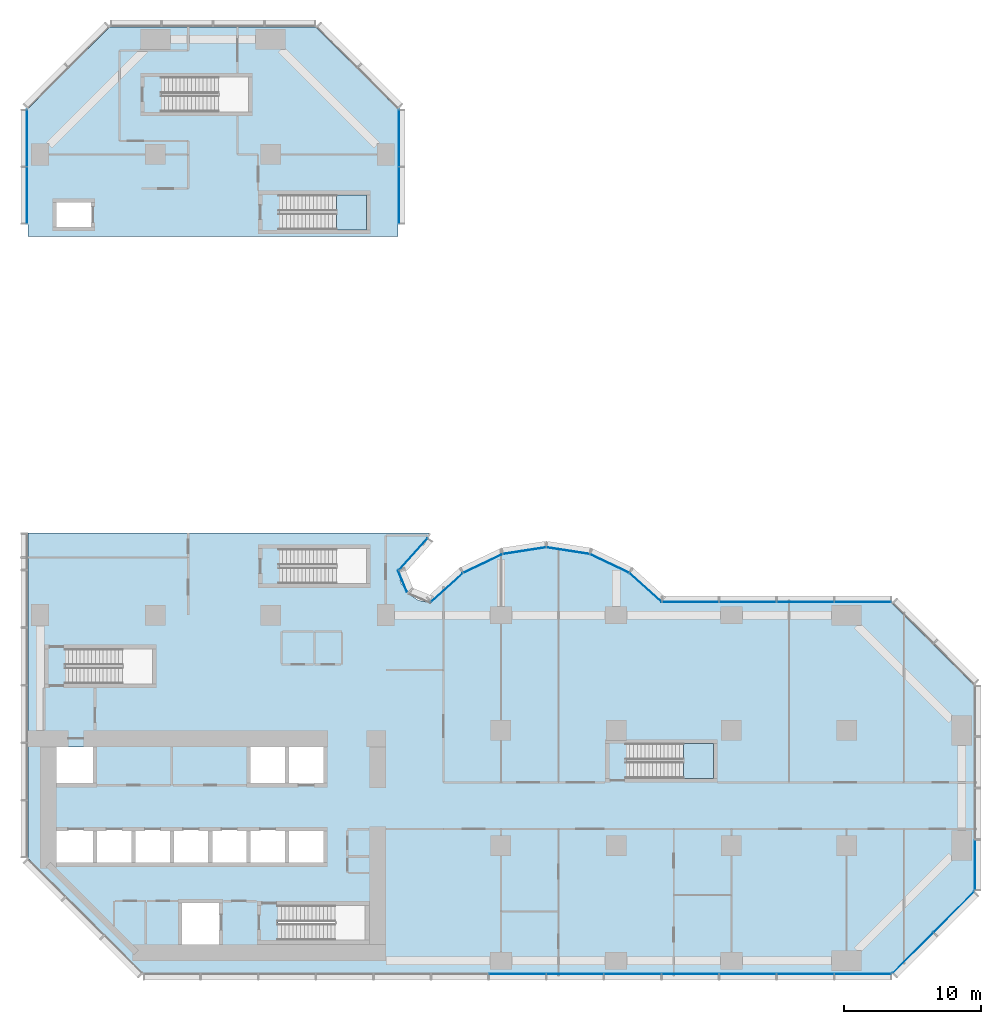
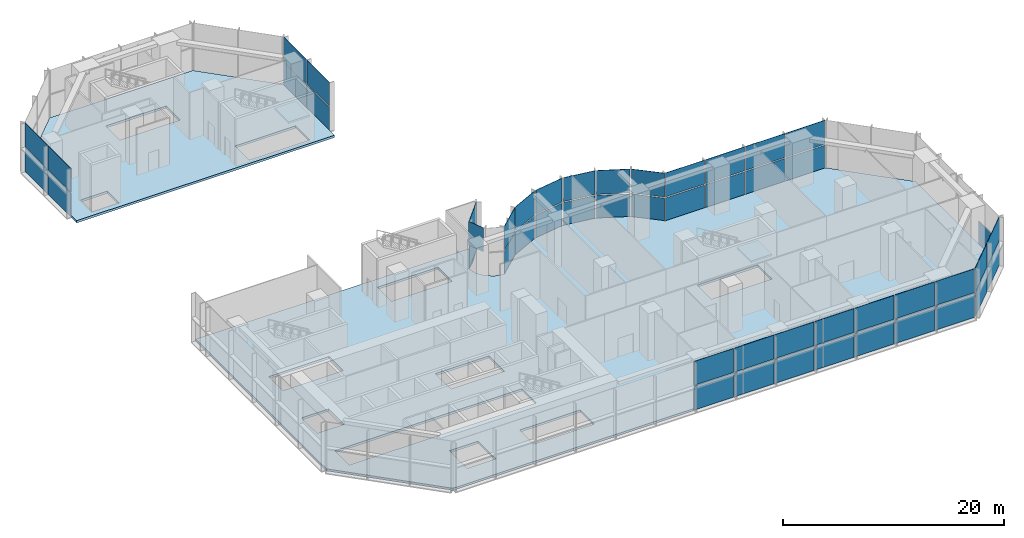
# One storey, part 6 of 16: 50 plates, 4 slabs, 11 elements without a shape of their own.
"""IFC4 building model written with IfcOpenShell, lengths in metres."""

import ifcopenshell
import ifcopenshell.guid

model = None  # the IFC model being written
_history = None  # IfcOwnerHistory: only IFC2X3 demands one
_inside = {}  # id of a spatial element -> (the spatial element, [elements in it])
_under = {}  # id of a project, library or spatial element -> (it, [spatial elements below it])
_declared = {}  # id of a project -> (the project, [libraries it declares])
_typed = {}  # id of a type object -> (the type object, [elements of that type])
_made_of = {}  # id of a material, layer set ... -> (it, [elements and type objects made of it])


def new_model(schema):
    """Start an empty IFC model of exactly this schema.

    Asked for "IFC4X3", IfcOpenShell would pick the latest addendum, in which some entities
    have other attributes; the version numbers below select the first issue.
    IFC2X3 requires an IfcOwnerHistory on every rooted entity: one is made here for all.
    """
    global model, _history
    if schema == "IFC4X3":
        model = ifcopenshell.file(schema_version=(4, 3, 0, 0))
    else:
        model = ifcopenshell.file(schema=schema)
    _inside.clear()
    _under.clear()
    _declared.clear()
    _typed.clear()
    _made_of.clear()
    _history = None
    if model.schema == "IFC2X3":
        org = make("IfcOrganization", Name="unknown")
        user = make(
            "IfcPersonAndOrganization",
            ThePerson=make("IfcPerson", FamilyName="unknown"),
            TheOrganization=org,
        )
        app = make(
            "IfcApplication",
            ApplicationDeveloper=org,
            Version="unknown",
            ApplicationFullName="unknown",
            ApplicationIdentifier="unknown",
        )
        _history = make(
            "IfcOwnerHistory",
            OwningUser=user,
            OwningApplication=app,
            ChangeAction="ADDED",
            CreationDate=0,
        )
    return model


def make(cls, **values):
    """One entity of the class cls with the attributes given. An attribute that is None is left unset."""
    return model.create_entity(
        cls, **{name: value for name, value in values.items() if value is not None}
    )


def rooted(cls, **values):
    """An entity with a GlobalId (a new one), such as an element, a storey or a relation."""
    return make(cls, GlobalId=ifcopenshell.guid.new(), OwnerHistory=_history, **values)


def si_unit(unit_type, name, prefix=None):
    """IfcSIUnit, for example si_unit("LENGTHUNIT", "METRE", prefix="MILLI")."""
    return make("IfcSIUnit", UnitType=unit_type, Prefix=prefix, Name=name)


def assignment(units):
    """IfcUnitAssignment: the units of a project."""
    return None if units is None else make("IfcUnitAssignment", Units=units)


def point(xyz):
    """IfcCartesianPoint."""
    return None if xyz is None else make("IfcCartesianPoint", Coordinates=xyz)


def direction(xyz):
    """IfcDirection."""
    return None if xyz is None else make("IfcDirection", DirectionRatios=xyz)


def frame(location, z_axis=None, x_axis=None):
    """IfcAxis2Placement3D, a coordinate frame: its origin and axes. An axis left out is left unset."""
    return make(
        "IfcAxis2Placement3D",
        Location=point(location),
        Axis=direction(z_axis),
        RefDirection=direction(x_axis),
    )


def origin():
    """The frame at (0, 0, 0) with its axes left unset."""
    return frame((0.0, 0.0, 0.0))


def place(relative_to, where):
    """IfcLocalPlacement: puts the frame where relative to a parent placement (None: the world)."""
    return make(
        "IfcLocalPlacement", PlacementRelTo=relative_to, RelativePlacement=where
    )


def context(
    kind, dimensions, precision=None, world=None, true_north=None, identifier=None
):
    """IfcGeometricRepresentationContext, for example the 3D "Model" context."""
    return make(
        "IfcGeometricRepresentationContext",
        ContextIdentifier=identifier,
        ContextType=kind,
        CoordinateSpaceDimension=dimensions,
        Precision=precision,
        WorldCoordinateSystem=world,
        TrueNorth=true_north,
    )


def subcontext(parent, identifier, kind, view, scale=None):
    """IfcGeometricRepresentationSubContext, for example "Body" below "Model"."""
    return make(
        "IfcGeometricRepresentationSubContext",
        ContextIdentifier=identifier,
        ContextType=kind,
        ParentContext=parent,
        TargetScale=scale,
        TargetView=view,
    )


def project(units=None, contexts=None):
    """IfcProject with its units and contexts."""
    return rooted(
        "IfcProject",
        Name="project",
        RepresentationContexts=contexts,
        UnitsInContext=assignment(units),
    )


def spatial(cls, under=None, at=None, **own):
    """A site, building, storey or space (cls), placed at a placement, below another one or the project."""
    s = rooted(cls, ObjectPlacement=at, **own)
    if under is not None:
        _under.setdefault(under.id(), (under, []))[1].append(s)
    return s


def polyline(points):
    """IfcPolyline through the points."""
    return make("IfcPolyline", Points=[point(p) for p in points])


def outline(outer, holes=None, kind="AREA"):
    """IfcArbitraryClosedProfileDef: a profile drawn as a closed curve; with holes, ...WithVoids."""
    if holes is None:
        return make("IfcArbitraryClosedProfileDef", ProfileType=kind, OuterCurve=outer)
    return make(
        "IfcArbitraryProfileDefWithVoids",
        ProfileType=kind,
        OuterCurve=outer,
        InnerCurves=holes,
    )


def extrude(swept, where, along, depth):
    """IfcExtrudedAreaSolid: the profile swept, set in the frame where, extruded along a direction by depth."""
    return make(
        "IfcExtrudedAreaSolid",
        SweptArea=swept,
        Position=where,
        ExtrudedDirection=direction(along),
        Depth=depth,
    )


def shape(context_of_items, identifier, shape_type, items):
    """IfcShapeRepresentation: the items that make up one representation, for example the "Body"."""
    return make(
        "IfcShapeRepresentation",
        ContextOfItems=context_of_items,
        RepresentationIdentifier=identifier,
        RepresentationType=shape_type,
        Items=items,
    )


def material(Name=None, Category=None):
    """IfcMaterial."""
    return make("IfcMaterial", Name=Name, Category=Category)


def layer(
    of_material, thickness, ventilated=None, Name=None, Category=None, Priority=None
):
    """IfcMaterialLayer: one layer of a wall or slab, of a material (None: an air gap)."""
    return make(
        "IfcMaterialLayer",
        Material=of_material,
        LayerThickness=thickness,
        IsVentilated=ventilated,
        Name=Name,
        Category=Category,
        Priority=Priority,
    )


def layer_set(layers, Name=None):
    """IfcMaterialLayerSet."""
    return make("IfcMaterialLayerSet", MaterialLayers=layers, LayerSetName=Name)


def made_of(thing, what):
    """Note that an element or type object is made of a material, layer set ...; save() writes the relation."""
    if what is not None:
        _made_of.setdefault(what.id(), (what, []))[1].append(thing)
    return thing


def type_object(cls, material=None, **own):
    """A type object (cls), such as IfcWallType, which elements share."""
    return made_of(rooted(cls, **own), material)


def element(
    cls,
    number,
    at=None,
    inside=None,
    cuts=None,
    type_object=None,
    material=None,
    context=None,
    identifier="Body",
    shape_type=None,
    held_by="IfcProductDefinitionShape",
    body=None,
    shapes=None,
    **own,
):
    """One element of the class cls, such as IfcWall. Its Tag is "e" and its number.

    at: its placement. inside: the storey or other place that contains it. cuts: it is an
    opening in that element (IfcRelVoidsElement). A single representation is given by context,
    identifier, shape_type and body (its items); several are given by shapes. held_by: the class
    of the entity that holds the representations. save() writes the other relations.
    """
    e = rooted(cls, Tag="e%d" % number, ObjectPlacement=at, **own)
    if body is not None:
        shapes = [shape(context, identifier, shape_type, body)]
    if shapes is not None:
        e.Representation = make(held_by, Representations=shapes)
    if inside is not None:
        _inside.setdefault(inside.id(), (inside, []))[1].append(e)
    if cuts is not None:
        rooted(
            "IfcRelVoidsElement", RelatingBuildingElement=cuts, RelatedOpeningElement=e
        )
    if type_object is not None:
        _typed.setdefault(type_object.id(), (type_object, []))[1].append(e)
    return made_of(e, material)


def aggregate(whole, parts):
    """IfcRelAggregates: a whole, such as a stair, and the parts it consists of."""
    return rooted("IfcRelAggregates", RelatingObject=whole, RelatedObjects=parts)


def save(model, path):
    """Write the relations noted so far, then the file.

    IfcRelAggregates (storeys below a building ...), IfcRelContainedInSpatialStructure (elements
    in a storey), IfcRelDefinesByType, IfcRelAssociatesMaterial and IfcRelDeclares: one each for
    every whole, place, type object, material and project.
    """
    for whole, parts in _under.values():
        aggregate(whole, parts)
    for where, things in _inside.values():
        rooted(
            "IfcRelContainedInSpatialStructure",
            RelatedElements=things,
            RelatingStructure=where,
        )
    for kind, things in _typed.values():
        rooted("IfcRelDefinesByType", RelatedObjects=things, RelatingType=kind)
    for what, things in _made_of.values():
        rooted("IfcRelAssociatesMaterial", RelatedObjects=things, RelatingMaterial=what)
    for by, libraries in _declared.values():
        rooted("IfcRelDeclares", RelatingContext=by, RelatedDefinitions=libraries)
    model.write(path)


model = new_model("IFC4")

# Units and contexts
model_context = context("Model", 3, precision=1e-05, world=origin(), true_north=direction((0.0, 1.0)))
body_context = subcontext(model_context, "Body", "Model", "MODEL_VIEW")
ifc_project = project(units=[si_unit("LENGTHUNIT", "METRE"), si_unit("AREAUNIT", "SQUARE_METRE"), si_unit("VOLUMEUNIT", "CUBIC_METRE"), si_unit("PLANEANGLEUNIT", "RADIAN"), si_unit("MASSUNIT", "GRAM", prefix="KILO")], contexts=[model_context])

# Site, building, storey
site_placement = place(None, origin())
site = spatial("IfcSite", under=ifc_project, at=site_placement, CompositionType="ELEMENT")
building_placement = place(site_placement, origin())
building = spatial("IfcBuilding", under=site, at=building_placement, Name="Brevane Broadcast Tower", CompositionType="ELEMENT")
storey_placement = place(building_placement, frame((0.0, 0.0, 7.0)))
storey = spatial("IfcBuildingStorey", under=building, at=storey_placement, Name="L01", CompositionType="ELEMENT", Elevation=7.0)

# Curtain wall, plates
ifc_material_1 = material(Name="Aluminium 6063-T6 bronze anodised", Category="aluminium")
curtain_wall_type = type_object("IfcCurtainWallType", Name="CW-2 curtain wall", PredefinedType="NOTDEFINED", material=ifc_material_1)
curtain_wall_1_placement = place(storey_placement, origin())
curtain_wall_1 = element("IfcCurtainWall", 1, at=curtain_wall_1_placement, inside=storey, type_object=curtain_wall_type, Name="CW-2 podium base unit L01 south face", PredefinedType="NOTDEFINED")
ifc_material_2 = material(Name="Laminated glass bronze-tinted", Category="glass")
ifc_layer_1 = layer(ifc_material_2, 0.0400390625)
ifc_layer_set_1 = layer_set([ifc_layer_1], Name="CW glass panel 40")
plate_type = type_object("IfcPlateType", Name="CW glass panel 40", PredefinedType="CURTAIN_PANEL", material=ifc_layer_set_1)
plate_1_placement = place(storey_placement, frame((0.0, 0.0, -0.1298828125)))
plate_1 = element("IfcPlate", 2, at=plate_1_placement, type_object=plate_type, Name="CW-2 glass panel", PredefinedType="CURTAIN_PANEL", context=body_context, shape_type="SweptSolid", body=[
    extrude(outline(polyline([(36.85498046875, -0.969970703125), (36.85498046875, -0.929931640625), (32.7451171875, -0.929931640625), (32.7451171875, -0.969970703125), (36.85498046875, -0.969970703125)])), origin(), (0.0, 0.0, 1.0), 2.619873046875),
])
plate_2_placement = place(storey_placement, frame((0.0, 0.0, 2.610107421875)))
plate_2 = element("IfcPlate", 3, at=plate_2_placement, type_object=plate_type, Name="CW-2 glass panel", PredefinedType="CURTAIN_PANEL", context=body_context, shape_type="SweptSolid", body=[
    extrude(outline(polyline([(36.85498046875, -0.969970703125), (36.85498046875, -0.929931640625), (32.7451171875, -0.929931640625), (32.7451171875, -0.969970703125), (36.85498046875, -0.969970703125)])), origin(), (0.0, 0.0, 1.0), 2.639892578125),
])
plate_3_placement = place(storey_placement, frame((0.0, 0.0, -0.1298828125)))
plate_3 = element("IfcPlate", 4, at=plate_3_placement, type_object=plate_type, Name="CW-2 glass panel", PredefinedType="CURTAIN_PANEL", context=body_context, shape_type="SweptSolid", body=[
    extrude(outline(polyline([(41.054931640625, -0.969970703125), (41.054931640625, -0.929931640625), (36.945068359375, -0.929931640625), (36.945068359375, -0.969970703125), (41.054931640625, -0.969970703125)])), origin(), (0.0, 0.0, 1.0), 2.619873046875),
])
plate_4_placement = place(storey_placement, frame((0.0, 0.0, 2.610107421875)))
plate_4 = element("IfcPlate", 5, at=plate_4_placement, type_object=plate_type, Name="CW-2 glass panel", PredefinedType="CURTAIN_PANEL", context=body_context, shape_type="SweptSolid", body=[
    extrude(outline(polyline([(41.054931640625, -0.969970703125), (41.054931640625, -0.929931640625), (36.945068359375, -0.929931640625), (36.945068359375, -0.969970703125), (41.054931640625, -0.969970703125)])), origin(), (0.0, 0.0, 1.0), 2.639892578125),
])
plate_5_placement = place(storey_placement, frame((0.0, 0.0, -0.1298828125)))
plate_5 = element("IfcPlate", 6, at=plate_5_placement, type_object=plate_type, Name="CW-2 glass panel", PredefinedType="CURTAIN_PANEL", context=body_context, shape_type="SweptSolid", body=[
    extrude(outline(polyline([(45.2548828125, -0.969970703125), (45.2548828125, -0.929931640625), (41.14501953125, -0.929931640625), (41.14501953125, -0.969970703125), (45.2548828125, -0.969970703125)])), origin(), (0.0, 0.0, 1.0), 2.619873046875),
])
plate_6_placement = place(storey_placement, frame((0.0, 0.0, 2.610107421875)))
plate_6 = element("IfcPlate", 7, at=plate_6_placement, type_object=plate_type, Name="CW-2 glass panel", PredefinedType="CURTAIN_PANEL", context=body_context, shape_type="SweptSolid", body=[
    extrude(outline(polyline([(45.2548828125, -0.969970703125), (45.2548828125, -0.929931640625), (41.14501953125, -0.929931640625), (41.14501953125, -0.969970703125), (45.2548828125, -0.969970703125)])), origin(), (0.0, 0.0, 1.0), 2.639892578125),
])
plate_7_placement = place(storey_placement, frame((0.0, 0.0, -0.1298828125)))
plate_7 = element("IfcPlate", 8, at=plate_7_placement, type_object=plate_type, Name="CW-2 glass panel", PredefinedType="CURTAIN_PANEL", context=body_context, shape_type="SweptSolid", body=[
    extrude(outline(polyline([(49.455078125, -0.969970703125), (49.455078125, -0.929931640625), (45.344970703125, -0.929931640625), (45.344970703125, -0.969970703125), (49.455078125, -0.969970703125)])), origin(), (0.0, 0.0, 1.0), 2.619873046875),
])
plate_8_placement = place(storey_placement, frame((0.0, 0.0, 2.610107421875)))
plate_8 = element("IfcPlate", 9, at=plate_8_placement, type_object=plate_type, Name="CW-2 glass panel", PredefinedType="CURTAIN_PANEL", context=body_context, shape_type="SweptSolid", body=[
    extrude(outline(polyline([(49.455078125, -0.969970703125), (49.455078125, -0.929931640625), (45.344970703125, -0.929931640625), (45.344970703125, -0.969970703125), (49.455078125, -0.969970703125)])), origin(), (0.0, 0.0, 1.0), 2.639892578125),
])
plate_9_placement = place(storey_placement, frame((0.0, 0.0, -0.1298828125)))
plate_9 = element("IfcPlate", 10, at=plate_9_placement, type_object=plate_type, Name="CW-2 glass panel", PredefinedType="CURTAIN_PANEL", context=body_context, shape_type="SweptSolid", body=[
    extrude(outline(polyline([(53.655029296875, -0.969970703125), (53.655029296875, -0.929931640625), (49.544921875, -0.929931640625), (49.544921875, -0.969970703125), (53.655029296875, -0.969970703125)])), origin(), (0.0, 0.0, 1.0), 2.619873046875),
])
plate_10_placement = place(storey_placement, frame((0.0, 0.0, 2.610107421875)))
plate_10 = element("IfcPlate", 11, at=plate_10_placement, type_object=plate_type, Name="CW-2 glass panel", PredefinedType="CURTAIN_PANEL", context=body_context, shape_type="SweptSolid", body=[
    extrude(outline(polyline([(53.655029296875, -0.969970703125), (53.655029296875, -0.929931640625), (49.544921875, -0.929931640625), (49.544921875, -0.969970703125), (53.655029296875, -0.969970703125)])), origin(), (0.0, 0.0, 1.0), 2.639892578125),
])
plate_11_placement = place(storey_placement, frame((0.0, 0.0, -0.1298828125)))
plate_11 = element("IfcPlate", 12, at=plate_11_placement, type_object=plate_type, Name="CW-2 glass panel", PredefinedType="CURTAIN_PANEL", context=body_context, shape_type="SweptSolid", body=[
    extrude(outline(polyline([(57.85498046875, -0.969970703125), (57.85498046875, -0.929931640625), (53.7451171875, -0.929931640625), (53.7451171875, -0.969970703125), (57.85498046875, -0.969970703125)])), origin(), (0.0, 0.0, 1.0), 2.619873046875),
])
plate_12_placement = place(storey_placement, frame((0.0, 0.0, 2.610107421875)))
plate_12 = element("IfcPlate", 13, at=plate_12_placement, type_object=plate_type, Name="CW-2 glass panel", PredefinedType="CURTAIN_PANEL", context=body_context, shape_type="SweptSolid", body=[
    extrude(outline(polyline([(57.85498046875, -0.969970703125), (57.85498046875, -0.929931640625), (53.7451171875, -0.929931640625), (53.7451171875, -0.969970703125), (57.85498046875, -0.969970703125)])), origin(), (0.0, 0.0, 1.0), 2.639892578125),
])
plate_13_placement = place(storey_placement, frame((0.0, 0.0, -0.1298828125)))
plate_13 = element("IfcPlate", 14, at=plate_13_placement, type_object=plate_type, Name="CW-2 glass panel", PredefinedType="CURTAIN_PANEL", context=body_context, shape_type="SweptSolid", body=[
    extrude(outline(polyline([(62.054931640625, -0.969970703125), (62.054931640625, -0.929931640625), (57.945068359375, -0.929931640625), (57.945068359375, -0.969970703125), (62.054931640625, -0.969970703125)])), origin(), (0.0, 0.0, 1.0), 2.619873046875),
])
plate_14_placement = place(storey_placement, frame((0.0, 0.0, 2.610107421875)))
plate_14 = element("IfcPlate", 15, at=plate_14_placement, type_object=plate_type, Name="CW-2 glass panel", PredefinedType="CURTAIN_PANEL", context=body_context, shape_type="SweptSolid", body=[
    extrude(outline(polyline([(62.054931640625, -0.969970703125), (62.054931640625, -0.929931640625), (57.945068359375, -0.929931640625), (57.945068359375, -0.969970703125), (62.054931640625, -0.969970703125)])), origin(), (0.0, 0.0, 1.0), 2.639892578125),
])
aggregate(curtain_wall_1, [plate_1, plate_2, plate_3, plate_4, plate_5, plate_6, plate_7, plate_8, plate_9, plate_10, plate_11, plate_12, plate_13, plate_14])

curtain_wall_2_placement = place(storey_placement, origin())
curtain_wall_2 = element("IfcCurtainWall", 16, at=curtain_wall_2_placement, inside=storey, type_object=curtain_wall_type, Name="CW-2 podium base unit L01 south-east chamfer", PredefinedType="NOTDEFINED")
plate_15_placement = place(storey_placement, frame((0.0, 0.0, -0.1298828125)))
plate_15 = element("IfcPlate", 17, at=plate_15_placement, type_object=plate_type, Name="CW-2 glass panel", PredefinedType="CURTAIN_PANEL", context=body_context, shape_type="SweptSolid", body=[
    extrude(outline(polyline([(62.153076171875, -0.889404296875), (65.08935546875, 2.047119140625), (65.11767578125, 2.018798828125), (62.181396484375, -0.917724609375), (62.153076171875, -0.889404296875)])), origin(), (0.0, 0.0, 1.0), 2.619873046875),
])
plate_16_placement = place(storey_placement, frame((0.0, 0.0, 2.610107421875)))
plate_16 = element("IfcPlate", 18, at=plate_16_placement, type_object=plate_type, Name="CW-2 glass panel", PredefinedType="CURTAIN_PANEL", context=body_context, shape_type="SweptSolid", body=[
    extrude(outline(polyline([(62.153076171875, -0.889404296875), (65.08935546875, 2.047119140625), (65.11767578125, 2.018798828125), (62.181396484375, -0.917724609375), (62.153076171875, -0.889404296875)])), origin(), (0.0, 0.0, 1.0), 2.639892578125),
])
plate_17_placement = place(storey_placement, frame((0.0, 0.0, -0.1298828125)))
plate_17 = element("IfcPlate", 19, at=plate_17_placement, type_object=plate_type, Name="CW-2 glass panel", PredefinedType="CURTAIN_PANEL", context=body_context, shape_type="SweptSolid", body=[
    extrude(outline(polyline([(68.08935546875, 5.047119140625), (68.11767578125, 5.018798828125), (65.181396484375, 2.082275390625), (65.153076171875, 2.110595703125), (68.08935546875, 5.047119140625)])), origin(), (0.0, 0.0, 1.0), 2.619873046875),
])
plate_18_placement = place(storey_placement, frame((0.0, 0.0, 2.610107421875)))
plate_18 = element("IfcPlate", 20, at=plate_18_placement, type_object=plate_type, Name="CW-2 glass panel", PredefinedType="CURTAIN_PANEL", context=body_context, shape_type="SweptSolid", body=[
    extrude(outline(polyline([(68.08935546875, 5.047119140625), (68.11767578125, 5.018798828125), (65.181396484375, 2.082275390625), (65.153076171875, 2.110595703125), (68.08935546875, 5.047119140625)])), origin(), (0.0, 0.0, 1.0), 2.639892578125),
])
aggregate(curtain_wall_2, [plate_15, plate_16, plate_17, plate_18])

# Curtain wall, plate
curtain_wall_3_placement = place(storey_placement, origin())
curtain_wall_3 = element("IfcCurtainWall", 21, at=curtain_wall_3_placement, inside=storey, type_object=curtain_wall_type, Name="CW-2 podium base unit L01 east end", PredefinedType="NOTDEFINED")
plate_19_placement = place(storey_placement, frame((0.0, 0.0, -0.1298828125)))
plate_19 = element("IfcPlate", 22, at=plate_19_placement, type_object=plate_type, Name="CW-2 glass panel", PredefinedType="CURTAIN_PANEL", context=body_context, shape_type="SweptSolid", body=[
    extrude(outline(polyline([(68.169921875, 8.804931640625), (68.1298828125, 8.804931640625), (68.1298828125, 5.14501953125), (68.169921875, 5.14501953125), (68.169921875, 8.804931640625)])), origin(), (0.0, 0.0, 1.0), 2.619873046875),
])
aggregate(curtain_wall_3, [plate_19])

# Curtain wall, plates
curtain_wall_4_placement = place(storey_placement, origin())
curtain_wall_4 = element("IfcCurtainWall", 23, at=curtain_wall_4_placement, inside=storey, type_object=curtain_wall_type, Name="CW-2 podium base unit L01 east arm north face", PredefinedType="NOTDEFINED")
plate_20_placement = place(storey_placement, frame((0.0, 0.0, -0.1298828125)))
plate_20 = element("IfcPlate", 24, at=plate_20_placement, type_object=plate_type, Name="CW-2 glass panel", PredefinedType="CURTAIN_PANEL", context=body_context, shape_type="SweptSolid", body=[
    extrude(outline(polyline([(57.945068359375, 26.169921875), (57.945068359375, 26.1298828125), (62.054931640625, 26.1298828125), (62.054931640625, 26.169921875), (57.945068359375, 26.169921875)])), origin(), (0.0, 0.0, 1.0), 2.619873046875),
])
plate_21_placement = place(storey_placement, frame((0.0, 0.0, 2.610107421875)))
plate_21 = element("IfcPlate", 25, at=plate_21_placement, type_object=plate_type, Name="CW-2 glass panel", PredefinedType="CURTAIN_PANEL", context=body_context, shape_type="SweptSolid", body=[
    extrude(outline(polyline([(57.945068359375, 26.169921875), (57.945068359375, 26.1298828125), (62.054931640625, 26.1298828125), (62.054931640625, 26.169921875), (57.945068359375, 26.169921875)])), origin(), (0.0, 0.0, 1.0), 2.639892578125),
])
plate_22_placement = place(storey_placement, frame((0.0, 0.0, -0.1298828125)))
plate_22 = element("IfcPlate", 26, at=plate_22_placement, type_object=plate_type, Name="CW-2 glass panel", PredefinedType="CURTAIN_PANEL", context=body_context, shape_type="SweptSolid", body=[
    extrude(outline(polyline([(53.7451171875, 26.169921875), (53.7451171875, 26.1298828125), (57.85498046875, 26.1298828125), (57.85498046875, 26.169921875), (53.7451171875, 26.169921875)])), origin(), (0.0, 0.0, 1.0), 2.619873046875),
])
plate_23_placement = place(storey_placement, frame((0.0, 0.0, 2.610107421875)))
plate_23 = element("IfcPlate", 27, at=plate_23_placement, type_object=plate_type, Name="CW-2 glass panel", PredefinedType="CURTAIN_PANEL", context=body_context, shape_type="SweptSolid", body=[
    extrude(outline(polyline([(53.7451171875, 26.169921875), (53.7451171875, 26.1298828125), (57.85498046875, 26.1298828125), (57.85498046875, 26.169921875), (53.7451171875, 26.169921875)])), origin(), (0.0, 0.0, 1.0), 2.639892578125),
])
plate_24_placement = place(storey_placement, frame((0.0, 0.0, -0.1298828125)))
plate_24 = element("IfcPlate", 28, at=plate_24_placement, type_object=plate_type, Name="CW-2 glass panel", PredefinedType="CURTAIN_PANEL", context=body_context, shape_type="SweptSolid", body=[
    extrude(outline(polyline([(49.544921875, 26.169921875), (49.544921875, 26.1298828125), (53.655029296875, 26.1298828125), (53.655029296875, 26.169921875), (49.544921875, 26.169921875)])), origin(), (0.0, 0.0, 1.0), 2.619873046875),
])
plate_25_placement = place(storey_placement, frame((0.0, 0.0, 2.610107421875)))
plate_25 = element("IfcPlate", 29, at=plate_25_placement, type_object=plate_type, Name="CW-2 glass panel", PredefinedType="CURTAIN_PANEL", context=body_context, shape_type="SweptSolid", body=[
    extrude(outline(polyline([(49.544921875, 26.169921875), (49.544921875, 26.1298828125), (53.655029296875, 26.1298828125), (53.655029296875, 26.169921875), (49.544921875, 26.169921875)])), origin(), (0.0, 0.0, 1.0), 2.639892578125),
])
plate_26_placement = place(storey_placement, frame((0.0, 0.0, -0.1298828125)))
plate_26 = element("IfcPlate", 30, at=plate_26_placement, type_object=plate_type, Name="CW-2 glass panel", PredefinedType="CURTAIN_PANEL", context=body_context, shape_type="SweptSolid", body=[
    extrude(outline(polyline([(45.344970703125, 26.169921875), (45.344970703125, 26.1298828125), (49.455078125, 26.1298828125), (49.455078125, 26.169921875), (45.344970703125, 26.169921875)])), origin(), (0.0, 0.0, 1.0), 2.619873046875),
])
plate_27_placement = place(storey_placement, frame((0.0, 0.0, 2.610107421875)))
plate_27 = element("IfcPlate", 31, at=plate_27_placement, type_object=plate_type, Name="CW-2 glass panel", PredefinedType="CURTAIN_PANEL", context=body_context, shape_type="SweptSolid", body=[
    extrude(outline(polyline([(45.344970703125, 26.169921875), (45.344970703125, 26.1298828125), (49.455078125, 26.1298828125), (49.455078125, 26.169921875), (45.344970703125, 26.169921875)])), origin(), (0.0, 0.0, 1.0), 2.639892578125),
])
aggregate(curtain_wall_4, [plate_20, plate_21, plate_22, plate_23, plate_24, plate_25, plate_26, plate_27])

curtain_wall_5_placement = place(storey_placement, origin())
curtain_wall_5 = element("IfcCurtainWall", 32, at=curtain_wall_5_placement, inside=storey, type_object=curtain_wall_type, Name="CW-2 podium base unit L01 east bow", PredefinedType="NOTDEFINED")
plate_28_placement = place(storey_placement, frame((0.0, 0.0, -0.1298828125)))
plate_28 = element("IfcPlate", 33, at=plate_28_placement, type_object=plate_type, Name="CW-2 glass panel", PredefinedType="CURTAIN_PANEL", context=body_context, shape_type="SweptSolid", body=[
    extrude(outline(polyline([(45.28662109375, 26.15234375), (45.3134765625, 26.18212890625), (43.02880859375, 28.24609375), (43.00634765625, 28.21240234375), (45.28662109375, 26.15234375)])), origin(), (0.0, 0.0, 1.0), 2.619873046875),
])
plate_29_placement = place(storey_placement, frame((0.0, 0.0, 2.610107421875)))
plate_29 = element("IfcPlate", 34, at=plate_29_placement, type_object=plate_type, Name="CW-2 glass panel", PredefinedType="CURTAIN_PANEL", context=body_context, shape_type="SweptSolid", body=[
    extrude(outline(polyline([(45.28662109375, 26.15234375), (45.3134765625, 26.18212890625), (43.02880859375, 28.24609375), (43.00634765625, 28.21240234375), (45.28662109375, 26.15234375)])), origin(), (0.0, 0.0, 1.0), 2.639892578125),
])
plate_30_placement = place(storey_placement, frame((0.0, 0.0, -0.1298828125)))
plate_30 = element("IfcPlate", 35, at=plate_30_placement, type_object=plate_type, Name="CW-2 glass panel", PredefinedType="CURTAIN_PANEL", context=body_context, shape_type="SweptSolid", body=[
    extrude(outline(polyline([(42.87939453125, 28.297607421875), (42.90185546875, 28.331298828125), (40.143798828125, 29.64453125), (40.1318359375, 29.60595703125), (42.87939453125, 28.297607421875)])), origin(), (0.0, 0.0, 1.0), 2.619873046875),
])
plate_31_placement = place(storey_placement, frame((0.0, 0.0, 2.610107421875)))
plate_31 = element("IfcPlate", 36, at=plate_31_placement, type_object=plate_type, Name="CW-2 glass panel", PredefinedType="CURTAIN_PANEL", context=body_context, shape_type="SweptSolid", body=[
    extrude(outline(polyline([(42.87939453125, 28.297607421875), (42.90185546875, 28.331298828125), (40.143798828125, 29.64453125), (40.1318359375, 29.60595703125), (42.87939453125, 28.297607421875)])), origin(), (0.0, 0.0, 1.0), 2.639892578125),
])
plate_32_placement = place(storey_placement, frame((0.0, 0.0, -0.1298828125)))
plate_32 = element("IfcPlate", 37, at=plate_32_placement, type_object=plate_type, Name="CW-2 glass panel", PredefinedType="CURTAIN_PANEL", context=body_context, shape_type="SweptSolid", body=[
    extrude(outline(polyline([(39.985595703125, 29.65087890625), (39.99755859375, 29.689453125), (36.982421875, 30.157958984375), (36.982421875, 30.117431640625), (39.985595703125, 29.65087890625)])), origin(), (0.0, 0.0, 1.0), 2.619873046875),
])
plate_33_placement = place(storey_placement, frame((0.0, 0.0, 2.610107421875)))
plate_33 = element("IfcPlate", 38, at=plate_33_placement, type_object=plate_type, Name="CW-2 glass panel", PredefinedType="CURTAIN_PANEL", context=body_context, shape_type="SweptSolid", body=[
    extrude(outline(polyline([(39.985595703125, 29.65087890625), (39.99755859375, 29.689453125), (36.982421875, 30.157958984375), (36.982421875, 30.117431640625), (39.985595703125, 29.65087890625)])), origin(), (0.0, 0.0, 1.0), 2.639892578125),
])
plate_34_placement = place(storey_placement, frame((0.0, 0.0, -0.1298828125)))
plate_34 = element("IfcPlate", 39, at=plate_34_placement, type_object=plate_type, Name="CW-2 glass panel", PredefinedType="CURTAIN_PANEL", context=body_context, shape_type="SweptSolid", body=[
    extrude(outline(polyline([(36.817626953125, 30.117431640625), (36.817626953125, 30.157958984375), (33.802490234375, 29.689453125), (33.814208984375, 29.65087890625), (36.817626953125, 30.117431640625)])), origin(), (0.0, 0.0, 1.0), 2.619873046875),
])
plate_35_placement = place(storey_placement, frame((0.0, 0.0, 2.610107421875)))
plate_35 = element("IfcPlate", 40, at=plate_35_placement, type_object=plate_type, Name="CW-2 glass panel", PredefinedType="CURTAIN_PANEL", context=body_context, shape_type="SweptSolid", body=[
    extrude(outline(polyline([(36.817626953125, 30.117431640625), (36.817626953125, 30.157958984375), (33.802490234375, 29.689453125), (33.814208984375, 29.65087890625), (36.817626953125, 30.117431640625)])), origin(), (0.0, 0.0, 1.0), 2.639892578125),
])
plate_36_placement = place(storey_placement, frame((0.0, 0.0, -0.1298828125)))
plate_36 = element("IfcPlate", 41, at=plate_36_placement, type_object=plate_type, Name="CW-2 glass panel", PredefinedType="CURTAIN_PANEL", context=body_context, shape_type="SweptSolid", body=[
    extrude(outline(polyline([(33.668212890625, 29.60595703125), (33.65625, 29.64453125), (30.898193359375, 28.331298828125), (30.920654296875, 28.297607421875), (33.668212890625, 29.60595703125)])), origin(), (0.0, 0.0, 1.0), 2.619873046875),
])
plate_37_placement = place(storey_placement, frame((0.0, 0.0, 2.610107421875)))
plate_37 = element("IfcPlate", 42, at=plate_37_placement, type_object=plate_type, Name="CW-2 glass panel", PredefinedType="CURTAIN_PANEL", context=body_context, shape_type="SweptSolid", body=[
    extrude(outline(polyline([(33.668212890625, 29.60595703125), (33.65625, 29.64453125), (30.898193359375, 28.331298828125), (30.920654296875, 28.297607421875), (33.668212890625, 29.60595703125)])), origin(), (0.0, 0.0, 1.0), 2.639892578125),
])
plate_38_placement = place(storey_placement, frame((0.0, 0.0, -0.1298828125)))
plate_38 = element("IfcPlate", 43, at=plate_38_placement, type_object=plate_type, Name="CW-2 glass panel", PredefinedType="CURTAIN_PANEL", context=body_context, shape_type="SweptSolid", body=[
    extrude(outline(polyline([(30.793701171875, 28.21240234375), (30.77099609375, 28.24609375), (28.486572265625, 26.18212890625), (28.51318359375, 26.15234375), (30.793701171875, 28.21240234375)])), origin(), (0.0, 0.0, 1.0), 2.619873046875),
])
plate_39_placement = place(storey_placement, frame((0.0, 0.0, 2.610107421875)))
plate_39 = element("IfcPlate", 44, at=plate_39_placement, type_object=plate_type, Name="CW-2 glass panel", PredefinedType="CURTAIN_PANEL", context=body_context, shape_type="SweptSolid", body=[
    extrude(outline(polyline([(30.793701171875, 28.21240234375), (30.77099609375, 28.24609375), (28.486572265625, 26.18212890625), (28.51318359375, 26.15234375), (30.793701171875, 28.21240234375)])), origin(), (0.0, 0.0, 1.0), 2.639892578125),
])
aggregate(curtain_wall_5, [plate_28, plate_29, plate_30, plate_31, plate_32, plate_33, plate_34, plate_35, plate_36, plate_37, plate_38, plate_39])

# Curtain wall, plate
curtain_wall_6_placement = place(storey_placement, origin())
curtain_wall_6 = element("IfcCurtainWall", 45, at=curtain_wall_6_placement, inside=storey, type_object=curtain_wall_type, Name="CW-2 podium base unit L01 inner corner", PredefinedType="NOTDEFINED")
plate_40_placement = place(storey_placement, frame((0.0, 0.0, 2.610107421875)))
plate_40 = element("IfcPlate", 46, at=plate_40_placement, type_object=plate_type, Name="CW-2 glass panel", PredefinedType="CURTAIN_PANEL", context=body_context, shape_type="SweptSolid", body=[
    extrude(outline(polyline([(26.728515625, 26.873046875), (26.759033203125, 26.90380859375), (26.115478515625, 28.457763671875), (26.07861328125, 28.4423828125), (26.728515625, 26.873046875)])), origin(), (0.0, 0.0, 1.0), 2.639892578125),
])
aggregate(curtain_wall_6, [plate_40])

# Curtain wall, plates
curtain_wall_7_placement = place(storey_placement, origin())
curtain_wall_7 = element("IfcCurtainWall", 47, at=curtain_wall_7_placement, inside=storey, type_object=curtain_wall_type, Name="CW-2 podium base unit L01 north bow", PredefinedType="NOTDEFINED")
plate_41_placement = place(storey_placement, frame((0.0, 0.0, -0.1298828125)))
plate_41 = element("IfcPlate", 48, at=plate_41_placement, type_object=plate_type, Name="CW-2 glass panel", PredefinedType="CURTAIN_PANEL", context=body_context, shape_type="SweptSolid", body=[
    extrude(outline(polyline([(26.15234375, 28.51318359375), (26.18212890625, 28.486572265625), (28.24609375, 30.77099609375), (28.21240234375, 30.793701171875), (26.15234375, 28.51318359375)])), origin(), (0.0, 0.0, 1.0), 2.619873046875),
])
plate_42_placement = place(storey_placement, frame((0.0, 0.0, 2.610107421875)))
plate_42 = element("IfcPlate", 49, at=plate_42_placement, type_object=plate_type, Name="CW-2 glass panel", PredefinedType="CURTAIN_PANEL", context=body_context, shape_type="SweptSolid", body=[
    extrude(outline(polyline([(26.15234375, 28.51318359375), (26.18212890625, 28.486572265625), (28.24609375, 30.77099609375), (28.21240234375, 30.793701171875), (26.15234375, 28.51318359375)])), origin(), (0.0, 0.0, 1.0), 2.639892578125),
])
aggregate(curtain_wall_7, [plate_41, plate_42])

curtain_wall_8_placement = place(storey_placement, origin())
curtain_wall_8 = element("IfcCurtainWall", 50, at=curtain_wall_8_placement, inside=storey, type_object=curtain_wall_type, Name="CW-2 podium base unit L01 north arm east face", PredefinedType="NOTDEFINED")
plate_43_placement = place(storey_placement, frame((0.0, 0.0, -0.1298828125)))
plate_43 = element("IfcPlate", 51, at=plate_43_placement, type_object=plate_type, Name="CW-2 glass panel", PredefinedType="CURTAIN_PANEL", context=body_context, shape_type="SweptSolid", body=[
    extrude(outline(polyline([(26.169921875, 57.85498046875), (26.1298828125, 57.85498046875), (26.1298828125, 53.7451171875), (26.169921875, 53.7451171875), (26.169921875, 57.85498046875)])), origin(), (0.0, 0.0, 1.0), 2.619873046875),
])
plate_44_placement = place(storey_placement, frame((0.0, 0.0, 2.610107421875)))
plate_44 = element("IfcPlate", 52, at=plate_44_placement, type_object=plate_type, Name="CW-2 glass panel", PredefinedType="CURTAIN_PANEL", context=body_context, shape_type="SweptSolid", body=[
    extrude(outline(polyline([(26.169921875, 57.85498046875), (26.1298828125, 57.85498046875), (26.1298828125, 53.7451171875), (26.169921875, 53.7451171875), (26.169921875, 57.85498046875)])), origin(), (0.0, 0.0, 1.0), 2.639892578125),
])
plate_45_placement = place(storey_placement, frame((0.0, 0.0, -0.1298828125)))
plate_45 = element("IfcPlate", 53, at=plate_45_placement, type_object=plate_type, Name="CW-2 glass panel", PredefinedType="CURTAIN_PANEL", context=body_context, shape_type="SweptSolid", body=[
    extrude(outline(polyline([(26.169921875, 62.054931640625), (26.1298828125, 62.054931640625), (26.1298828125, 57.945068359375), (26.169921875, 57.945068359375), (26.169921875, 62.054931640625)])), origin(), (0.0, 0.0, 1.0), 2.619873046875),
])
plate_46_placement = place(storey_placement, frame((0.0, 0.0, 2.610107421875)))
plate_46 = element("IfcPlate", 54, at=plate_46_placement, type_object=plate_type, Name="CW-2 glass panel", PredefinedType="CURTAIN_PANEL", context=body_context, shape_type="SweptSolid", body=[
    extrude(outline(polyline([(26.169921875, 62.054931640625), (26.1298828125, 62.054931640625), (26.1298828125, 57.945068359375), (26.169921875, 57.945068359375), (26.169921875, 62.054931640625)])), origin(), (0.0, 0.0, 1.0), 2.639892578125),
])
aggregate(curtain_wall_8, [plate_43, plate_44, plate_45, plate_46])

curtain_wall_9_placement = place(storey_placement, origin())
curtain_wall_9 = element("IfcCurtainWall", 55, at=curtain_wall_9_placement, inside=storey, type_object=curtain_wall_type, Name="CW-2 podium base unit L01 west face", PredefinedType="NOTDEFINED")
plate_47_placement = place(storey_placement, frame((0.0, 0.0, -0.1298828125)))
plate_47 = element("IfcPlate", 56, at=plate_47_placement, type_object=plate_type, Name="CW-2 glass panel", PredefinedType="CURTAIN_PANEL", context=body_context, shape_type="SweptSolid", body=[
    extrude(outline(polyline([(-0.969970703125, 57.945068359375), (-0.929931640625, 57.945068359375), (-0.929931640625, 62.054931640625), (-0.969970703125, 62.054931640625), (-0.969970703125, 57.945068359375)])), origin(), (0.0, 0.0, 1.0), 2.619873046875),
])
plate_48_placement = place(storey_placement, frame((0.0, 0.0, 2.610107421875)))
plate_48 = element("IfcPlate", 57, at=plate_48_placement, type_object=plate_type, Name="CW-2 glass panel", PredefinedType="CURTAIN_PANEL", context=body_context, shape_type="SweptSolid", body=[
    extrude(outline(polyline([(-0.969970703125, 57.945068359375), (-0.929931640625, 57.945068359375), (-0.929931640625, 62.054931640625), (-0.969970703125, 62.054931640625), (-0.969970703125, 57.945068359375)])), origin(), (0.0, 0.0, 1.0), 2.639892578125),
])
plate_49_placement = place(storey_placement, frame((0.0, 0.0, -0.1298828125)))
plate_49 = element("IfcPlate", 58, at=plate_49_placement, type_object=plate_type, Name="CW-2 glass panel", PredefinedType="CURTAIN_PANEL", context=body_context, shape_type="SweptSolid", body=[
    extrude(outline(polyline([(-0.969970703125, 53.7451171875), (-0.929931640625, 53.7451171875), (-0.929931640625, 57.85498046875), (-0.969970703125, 57.85498046875), (-0.969970703125, 53.7451171875)])), origin(), (0.0, 0.0, 1.0), 2.619873046875),
])
plate_50_placement = place(storey_placement, frame((0.0, 0.0, 2.610107421875)))
plate_50 = element("IfcPlate", 59, at=plate_50_placement, type_object=plate_type, Name="CW-2 glass panel", PredefinedType="CURTAIN_PANEL", context=body_context, shape_type="SweptSolid", body=[
    extrude(outline(polyline([(-0.969970703125, 53.7451171875), (-0.929931640625, 53.7451171875), (-0.929931640625, 57.85498046875), (-0.969970703125, 57.85498046875), (-0.969970703125, 53.7451171875)])), origin(), (0.0, 0.0, 1.0), 2.639892578125),
])
aggregate(curtain_wall_9, [plate_47, plate_48, plate_49, plate_50])

# Stair, slab
ifc_material_3 = material(Name="Concrete C50/60", Category="concrete")
stair_type = type_object("IfcStairType", Name="Exit stair 32 risers", PredefinedType="HALF_TURN_STAIR", material=ifc_material_3)
stair_1_placement = place(storey_placement, origin())
stair_1 = element("IfcStair", 60, at=stair_1_placement, inside=storey, type_object=stair_type, Name="L01 Exit stair ST-4", PredefinedType="HALF_TURN_STAIR")
ifc_layer_2 = layer(ifc_material_3, 0.199951171875)
ifc_layer_set_2 = layer_set([ifc_layer_2], Name="Exit stair landing")
slab_type_1 = type_object("IfcSlabType", Name="Exit stair landing", PredefinedType="LANDING", material=ifc_layer_set_2)
slab_1_placement = place(storey_placement, frame((0.0, 0.0, 2.550048828125)))
slab_1 = element("IfcSlab", 61, at=slab_1_placement, type_object=slab_type_1, Name="ST-4 landing 1", PredefinedType="LANDING", context=body_context, shape_type="SweptSolid", body=[
    extrude(outline(polyline([(46.89990234375, 13.300048828125), (49.10009765625, 13.300048828125), (49.10009765625, 15.85009765625), (46.89990234375, 15.85009765625), (46.89990234375, 13.300048828125)])), origin(), (0.0, 0.0, 1.0), 0.199951171875),
])
aggregate(stair_1, [slab_1])

stair_2_placement = place(storey_placement, origin())
stair_2 = element("IfcStair", 62, at=stair_2_placement, inside=storey, type_object=stair_type, Name="L01 Exit stair ST-5", PredefinedType="HALF_TURN_STAIR")
slab_2_placement = place(storey_placement, frame((0.0, 0.0, 2.550048828125)))
slab_2 = element("IfcSlab", 63, at=slab_2_placement, type_object=slab_type_1, Name="ST-5 landing 1", PredefinedType="LANDING", context=body_context, shape_type="SweptSolid", body=[
    extrude(outline(polyline([(21.60009765625, 53.300048828125), (23.800048828125, 53.300048828125), (23.800048828125, 55.85009765625), (21.60009765625, 55.85009765625), (21.60009765625, 53.300048828125)])), origin(), (0.0, 0.0, 1.0), 0.199951171875),
])
aggregate(stair_2, [slab_2])

# Slabs
ifc_material_4 = material(Name="Concrete C40/50", Category="concrete")
ifc_layer_3 = layer(ifc_material_4, 0.25)
ifc_layer_set_3 = layer_set([ifc_layer_3], Name="RC FLOOR SLAB 250 C40/50")
slab_type_2 = type_object("IfcSlabType", Name="RC FLOOR SLAB 250 C40/50", PredefinedType="FLOOR", material=ifc_layer_set_3)
slab_3_placement = place(storey_placement, frame((0.0, 0.0, -0.25)))
element("IfcSlab", 64, at=slab_3_placement, inside=storey, type_object=slab_type_2, Name="SL250 L01", PredefinedType="FLOOR", context=body_context, shape_type="SweptSolid", body=[
    extrude(outline(polyline([(-0.89990234375, 31.199951171875), (28.45263671875, 31.199951171875), (27.99169921875, 30.48291015625), (27.10888671875, 29.431396484375), (26.10009765625, 28.5), (26.28271484375, 27.58154296875), (26.802978515625, 26.802978515625), (27.58154296875, 26.28271484375), (28.5, 26.10009765625), (29.431396484375, 27.10888671875), (30.48291015625, 27.99169921875), (31.6376953125, 28.734130859375), (32.877197265625, 29.324462890625), (34.181640625, 29.7529296875), (35.52978515625, 30.012939453125), (36.89990234375, 30.10009765625), (38.270263671875, 30.012939453125), (39.618408203125, 29.7529296875), (40.922607421875, 29.324462890625), (42.162353515625, 28.734130859375), (43.317138671875, 27.99169921875), (44.36865234375, 27.10888671875), (45.300048828125, 26.10009765625), (62.10009765625, 26.10009765625), (68.10009765625, 20.10009765625), (68.10009765625, 5.10009765625), (62.10009765625, -0.89990234375), (7.5, -0.89990234375), (-0.89990234375, 7.5), (-0.89990234375, 31.199951171875)]), holes=[polyline([(13.199951171875, 1.199951171875), (13.199951171875, 4.39990234375), (10.199951171875, 4.39990234375), (10.199951171875, 1.199951171875), (13.199951171875, 1.199951171875)]), polyline([(6.800048828125, 9.60009765625), (4.0, 9.60009765625), (1.199951171875, 9.60009765625), (1.199951171875, 7.0), (4.0, 7.0), (6.800048828125, 7.0), (9.60009765625, 7.0), (12.39990234375, 7.0), (15.199951171875, 7.0), (18.0, 7.0), (20.800048828125, 7.0), (20.800048828125, 9.60009765625), (18.0, 9.60009765625), (15.199951171875, 9.60009765625), (12.39990234375, 9.60009765625), (9.60009765625, 9.60009765625), (6.800048828125, 9.60009765625)]), polyline([(4.0, 12.800048828125), (4.0, 15.60009765625), (1.199951171875, 15.60009765625), (1.199951171875, 12.800048828125), (4.0, 12.800048828125)]), polyline([(8.199951171875, 22.75), (1.860107421875, 22.75), (1.860107421875, 20.199951171875), (8.199951171875, 20.199951171875), (8.199951171875, 22.75)]), polyline([(23.699951171875, 4.050048828125), (17.360107421875, 4.050048828125), (17.360107421875, 1.5), (23.699951171875, 1.5), (23.699951171875, 4.050048828125)]), polyline([(18.0, 15.60009765625), (15.199951171875, 15.60009765625), (15.199951171875, 12.800048828125), (18.0, 12.800048828125), (20.800048828125, 12.800048828125), (20.800048828125, 15.60009765625), (18.0, 15.60009765625)]), polyline([(49.10009765625, 15.85009765625), (42.760009765625, 15.85009765625), (42.760009765625, 13.300048828125), (49.10009765625, 13.300048828125), (49.10009765625, 15.85009765625)]), polyline([(23.800048828125, 27.5), (23.800048828125, 30.050048828125), (17.4599609375, 30.050048828125), (17.4599609375, 27.5), (23.800048828125, 27.5)])]), origin(), (0.0, 0.0, 1.0), 0.25),
])
slab_4_placement = place(storey_placement, frame((0.0, 0.0, -0.25)))
element("IfcSlab", 65, at=slab_4_placement, inside=storey, type_object=slab_type_2, Name="SL250 L01", PredefinedType="FLOOR", context=body_context, shape_type="SweptSolid", body=[
    extrude(outline(polyline([(5.10009765625, 68.10009765625), (20.10009765625, 68.10009765625), (26.10009765625, 62.10009765625), (26.10009765625, 52.800048828125), (-0.89990234375, 52.800048828125), (-0.89990234375, 62.10009765625), (5.10009765625, 68.10009765625)]), holes=[polyline([(1.050048828125, 53.35009765625), (3.85009765625, 53.35009765625), (3.85009765625, 55.449951171875), (1.050048828125, 55.449951171875), (1.050048828125, 53.35009765625)]), polyline([(15.199951171875, 61.89990234375), (15.199951171875, 64.449951171875), (8.860107421875, 64.449951171875), (8.860107421875, 61.89990234375), (15.199951171875, 61.89990234375)]), polyline([(23.800048828125, 53.300048828125), (23.800048828125, 55.85009765625), (17.4599609375, 55.85009765625), (17.4599609375, 53.300048828125), (23.800048828125, 53.300048828125)])]), origin(), (0.0, 0.0, 1.0), 0.25),
])

save(model, "model.ifc")
